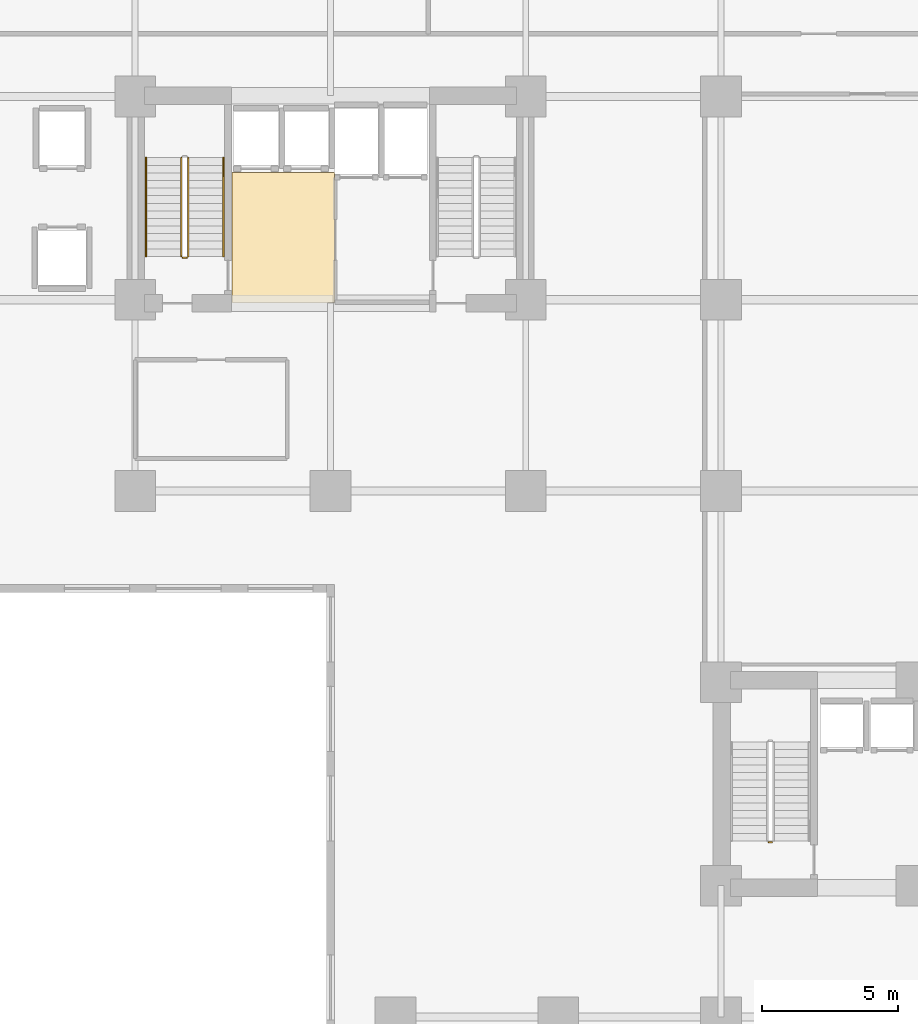
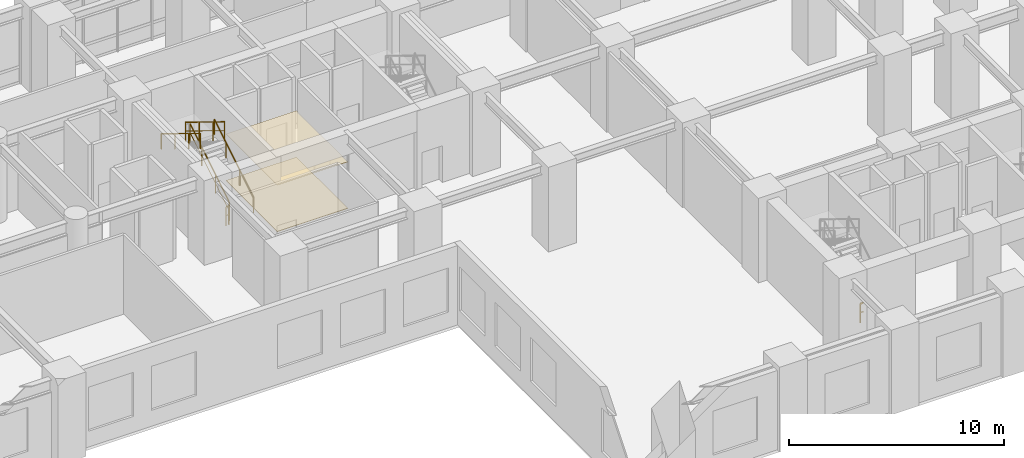
# One storey, part 20 of 22: 6 railings, 2 coverings.
"""IFC4 building model written with IfcOpenShell, lengths in metres."""

import ifcopenshell
import ifcopenshell.guid

model = None  # the IFC model being written
_history = None  # IfcOwnerHistory: only IFC2X3 demands one
_inside = {}  # id of a spatial element -> (the spatial element, [elements in it])
_under = {}  # id of a project, library or spatial element -> (it, [spatial elements below it])
_declared = {}  # id of a project -> (the project, [libraries it declares])
_typed = {}  # id of a type object -> (the type object, [elements of that type])
_made_of = {}  # id of a material, layer set ... -> (it, [elements and type objects made of it])


def new_model(schema):
    """Start an empty IFC model of exactly this schema.

    Asked for "IFC4X3", IfcOpenShell would pick the latest addendum, in which some entities
    have other attributes; the version numbers below select the first issue.
    IFC2X3 requires an IfcOwnerHistory on every rooted entity: one is made here for all.
    """
    global model, _history
    if schema == "IFC4X3":
        model = ifcopenshell.file(schema_version=(4, 3, 0, 0))
    else:
        model = ifcopenshell.file(schema=schema)
    _inside.clear()
    _under.clear()
    _declared.clear()
    _typed.clear()
    _made_of.clear()
    _history = None
    if model.schema == "IFC2X3":
        org = make("IfcOrganization", Name="unknown")
        user = make(
            "IfcPersonAndOrganization",
            ThePerson=make("IfcPerson", FamilyName="unknown"),
            TheOrganization=org,
        )
        app = make(
            "IfcApplication",
            ApplicationDeveloper=org,
            Version="unknown",
            ApplicationFullName="unknown",
            ApplicationIdentifier="unknown",
        )
        _history = make(
            "IfcOwnerHistory",
            OwningUser=user,
            OwningApplication=app,
            ChangeAction="ADDED",
            CreationDate=0,
        )
    return model


def make(cls, **values):
    """One entity of the class cls with the attributes given. An attribute that is None is left unset."""
    return model.create_entity(
        cls, **{name: value for name, value in values.items() if value is not None}
    )


def rooted(cls, **values):
    """An entity with a GlobalId (a new one), such as an element, a storey or a relation."""
    return make(cls, GlobalId=ifcopenshell.guid.new(), OwnerHistory=_history, **values)


def si_unit(unit_type, name, prefix=None):
    """IfcSIUnit, for example si_unit("LENGTHUNIT", "METRE", prefix="MILLI")."""
    return make("IfcSIUnit", UnitType=unit_type, Prefix=prefix, Name=name)


def assignment(units):
    """IfcUnitAssignment: the units of a project."""
    return None if units is None else make("IfcUnitAssignment", Units=units)


def point(xyz):
    """IfcCartesianPoint."""
    return None if xyz is None else make("IfcCartesianPoint", Coordinates=xyz)


def direction(xyz):
    """IfcDirection."""
    return None if xyz is None else make("IfcDirection", DirectionRatios=xyz)


def frame(location, z_axis=None, x_axis=None):
    """IfcAxis2Placement3D, a coordinate frame: its origin and axes. An axis left out is left unset."""
    return make(
        "IfcAxis2Placement3D",
        Location=point(location),
        Axis=direction(z_axis),
        RefDirection=direction(x_axis),
    )


def frame_2d(location, x_axis=None):
    """IfcAxis2Placement2D, a coordinate frame in the plane: its origin and x axis."""
    return make(
        "IfcAxis2Placement2D", Location=point(location), RefDirection=direction(x_axis)
    )


def origin():
    """The frame at (0, 0, 0) with its axes left unset."""
    return frame((0.0, 0.0, 0.0))


def origin_2d():
    """The frame at (0, 0) in the plane with its x axis left unset."""
    return frame_2d((0.0, 0.0))


def place(relative_to, where):
    """IfcLocalPlacement: puts the frame where relative to a parent placement (None: the world)."""
    return make(
        "IfcLocalPlacement", PlacementRelTo=relative_to, RelativePlacement=where
    )


def context(
    kind, dimensions, precision=None, world=None, true_north=None, identifier=None
):
    """IfcGeometricRepresentationContext, for example the 3D "Model" context."""
    return make(
        "IfcGeometricRepresentationContext",
        ContextIdentifier=identifier,
        ContextType=kind,
        CoordinateSpaceDimension=dimensions,
        Precision=precision,
        WorldCoordinateSystem=world,
        TrueNorth=true_north,
    )


def subcontext(parent, identifier, kind, view, scale=None):
    """IfcGeometricRepresentationSubContext, for example "Body" below "Model"."""
    return make(
        "IfcGeometricRepresentationSubContext",
        ContextIdentifier=identifier,
        ContextType=kind,
        ParentContext=parent,
        TargetScale=scale,
        TargetView=view,
    )


def project(units=None, contexts=None):
    """IfcProject with its units and contexts."""
    return rooted(
        "IfcProject",
        Name="project",
        RepresentationContexts=contexts,
        UnitsInContext=assignment(units),
    )


def spatial(cls, under=None, at=None, **own):
    """A site, building, storey or space (cls), placed at a placement, below another one or the project."""
    s = rooted(cls, ObjectPlacement=at, **own)
    if under is not None:
        _under.setdefault(under.id(), (under, []))[1].append(s)
    return s


def profile(cls, at=None, kind="AREA", **sizes):
    """A parametric profile (cls). Its sizes go by their IFC names, for example OverallWidth=200.0."""
    return make(cls, ProfileType=kind, Position=at, **sizes)


def rectangle(**sizes):
    """IfcRectangleProfileDef."""
    return profile("IfcRectangleProfileDef", **sizes)


def extrude(swept, where, along, depth):
    """IfcExtrudedAreaSolid: the profile swept, set in the frame where, extruded along a direction by depth."""
    return make(
        "IfcExtrudedAreaSolid",
        SweptArea=swept,
        Position=where,
        ExtrudedDirection=direction(along),
        Depth=depth,
    )


def shape(context_of_items, identifier, shape_type, items):
    """IfcShapeRepresentation: the items that make up one representation, for example the "Body"."""
    return make(
        "IfcShapeRepresentation",
        ContextOfItems=context_of_items,
        RepresentationIdentifier=identifier,
        RepresentationType=shape_type,
        Items=items,
    )


def source(mapping_origin, context_of_items, identifier, shape_type, items):
    """IfcRepresentationMap: a shape defined once, which mapped items show again and again."""
    return make(
        "IfcRepresentationMap",
        MappingOrigin=mapping_origin,
        MappedRepresentation=shape(context_of_items, identifier, shape_type, items),
    )


def transform(
    local_origin,
    x_axis=None,
    y_axis=None,
    z_axis=None,
    scale=None,
    scale2=None,
    scale3=None,
    uniform=True,
):
    """IfcCartesianTransformationOperator3D, or its non-uniform kind. x_axis, y_axis, z_axis: its Axis1, 2, 3."""
    if uniform:
        return make(
            "IfcCartesianTransformationOperator3D",
            Axis1=direction(x_axis),
            Axis2=direction(y_axis),
            LocalOrigin=point(local_origin),
            Scale=scale,
            Axis3=direction(z_axis),
        )
    return make(
        "IfcCartesianTransformationOperator3DnonUniform",
        Axis1=direction(x_axis),
        Axis2=direction(y_axis),
        LocalOrigin=point(local_origin),
        Scale=scale,
        Axis3=direction(z_axis),
        Scale2=scale2,
        Scale3=scale3,
    )


def mapped(mapping_source, mapping_target):
    """IfcMappedItem: shows the shape of a source again, moved by a transform."""
    return make(
        "IfcMappedItem", MappingSource=mapping_source, MappingTarget=mapping_target
    )


def material(Name=None, Category=None):
    """IfcMaterial."""
    return make("IfcMaterial", Name=Name, Category=Category)


def layer(
    of_material, thickness, ventilated=None, Name=None, Category=None, Priority=None
):
    """IfcMaterialLayer: one layer of a wall or slab, of a material (None: an air gap)."""
    return make(
        "IfcMaterialLayer",
        Material=of_material,
        LayerThickness=thickness,
        IsVentilated=ventilated,
        Name=Name,
        Category=Category,
        Priority=Priority,
    )


def layer_set(layers, Name=None):
    """IfcMaterialLayerSet."""
    return make("IfcMaterialLayerSet", MaterialLayers=layers, LayerSetName=Name)


def made_of(thing, what):
    """Note that an element or type object is made of a material, layer set ...; save() writes the relation."""
    if what is not None:
        _made_of.setdefault(what.id(), (what, []))[1].append(thing)
    return thing


def type_object(cls, material=None, **own):
    """A type object (cls), such as IfcWallType, which elements share."""
    return made_of(rooted(cls, **own), material)


def element(
    cls,
    number,
    at=None,
    inside=None,
    cuts=None,
    type_object=None,
    material=None,
    context=None,
    identifier="Body",
    shape_type=None,
    held_by="IfcProductDefinitionShape",
    body=None,
    shapes=None,
    **own,
):
    """One element of the class cls, such as IfcWall. Its Tag is "e" and its number.

    at: its placement. inside: the storey or other place that contains it. cuts: it is an
    opening in that element (IfcRelVoidsElement). A single representation is given by context,
    identifier, shape_type and body (its items); several are given by shapes. held_by: the class
    of the entity that holds the representations. save() writes the other relations.
    """
    e = rooted(cls, Tag="e%d" % number, ObjectPlacement=at, **own)
    if body is not None:
        shapes = [shape(context, identifier, shape_type, body)]
    if shapes is not None:
        e.Representation = make(held_by, Representations=shapes)
    if inside is not None:
        _inside.setdefault(inside.id(), (inside, []))[1].append(e)
    if cuts is not None:
        rooted(
            "IfcRelVoidsElement", RelatingBuildingElement=cuts, RelatedOpeningElement=e
        )
    if type_object is not None:
        _typed.setdefault(type_object.id(), (type_object, []))[1].append(e)
    return made_of(e, material)


def aggregate(whole, parts):
    """IfcRelAggregates: a whole, such as a stair, and the parts it consists of."""
    return rooted("IfcRelAggregates", RelatingObject=whole, RelatedObjects=parts)


def save(model, path):
    """Write the relations noted so far, then the file.

    IfcRelAggregates (storeys below a building ...), IfcRelContainedInSpatialStructure (elements
    in a storey), IfcRelDefinesByType, IfcRelAssociatesMaterial and IfcRelDeclares: one each for
    every whole, place, type object, material and project.
    """
    for whole, parts in _under.values():
        aggregate(whole, parts)
    for where, things in _inside.values():
        rooted(
            "IfcRelContainedInSpatialStructure",
            RelatedElements=things,
            RelatingStructure=where,
        )
    for kind, things in _typed.values():
        rooted("IfcRelDefinesByType", RelatedObjects=things, RelatingType=kind)
    for what, things in _made_of.values():
        rooted("IfcRelAssociatesMaterial", RelatedObjects=things, RelatingMaterial=what)
    for by, libraries in _declared.values():
        rooted("IfcRelDeclares", RelatingContext=by, RelatedDefinitions=libraries)
    model.write(path)


model = new_model("IFC4")

# Units and contexts
model_context = context("Model", 3, precision=1e-05, world=origin(), true_north=direction((0.0, 1.0)))
body_context = subcontext(model_context, "Body", "Model", "MODEL_VIEW")
ifc_project = project(units=[si_unit("LENGTHUNIT", "METRE"), si_unit("AREAUNIT", "SQUARE_METRE"), si_unit("VOLUMEUNIT", "CUBIC_METRE"), si_unit("PLANEANGLEUNIT", "RADIAN"), si_unit("MASSUNIT", "GRAM", prefix="KILO")], contexts=[model_context])

# Site, building, storey
site_placement = place(None, origin())
site = spatial("IfcSite", under=ifc_project, at=site_placement, CompositionType="ELEMENT")
building_placement = place(site_placement, origin())
building = spatial("IfcBuilding", under=site, at=building_placement, Name="Kaliganga Portal Commons", CompositionType="ELEMENT")
storey_placement = place(building_placement, frame((0.0, 0.0, 5.39990234375)))
storey = spatial("IfcBuildingStorey", under=building, at=storey_placement, Name="L01", CompositionType="ELEMENT", Elevation=5.39990234375)

# Railings
ifc_material_1 = material(Name="Galvanized Painted Steel Balustrade", Category="steel")
railing_type_1 = type_object("IfcRailingType", Name="RLG-STAIR-GRD", PredefinedType="GUARDRAIL", material=ifc_material_1)
railing_1_placement = place(storey_placement, frame((16.35009765625, 30.25, 0.171630859375)))
element("IfcRailing", 1, at=railing_1_placement, inside=storey, type_object=railing_type_1, Name="L01 ST-A1 stair guard 1", PredefinedType="GUARDRAIL", context=body_context, shape_type="SweptSolid", body=[
    extrude(rectangle(XDim=0.048095703125, YDim=0.048095703125, at=origin_2d()), frame((0.0, 0.0, 1.072021484375), z_axis=(0.0, 0.852850264322, 0.5221555579), x_axis=(-1.0, 0.0, 0.0)), (0.0, 0.0, 1.0), 4.267822265625),
    extrude(rectangle(XDim=0.028076171875, YDim=0.028076171875, at=origin_2d()), frame((0.0, 0.0, 0.572021484375), z_axis=(0.0, 0.852850264322, 0.5221555579), x_axis=(-1.0, 0.0, 0.0)), (0.0, 0.0, 1.0), 4.267822265625),
    extrude(rectangle(XDim=0.0419921875, YDim=0.0419921875, at=origin_2d()), origin(), (0.0, 0.0, 1.0), 1.052001953125),
    extrude(rectangle(XDim=0.0419921875, YDim=0.0419921875, at=origin_2d()), frame((0.0, 1.279296875, 0.783203125)), (0.0, 0.0, 1.0), 1.052001953125),
    extrude(rectangle(XDim=0.0419921875, YDim=0.0419921875, at=origin_2d()), frame((0.0, 2.55859375, 1.56640625)), (0.0, 0.0, 1.0), 1.052001953125),
    extrude(rectangle(XDim=0.0419921875, YDim=0.0419921875, at=origin_2d()), frame((0.0, 3.639892578125, 2.228515625)), (0.0, 0.0, 1.0), 1.052001953125),
])
railing_2_placement = place(storey_placement, frame((16.10009765625, 33.889892578125, 2.571533203125)))
element("IfcRailing", 2, at=railing_2_placement, inside=storey, type_object=railing_type_1, Name="L01 ST-A1 stair guard 3", PredefinedType="GUARDRAIL", context=body_context, shape_type="SweptSolid", body=[
    extrude(rectangle(XDim=0.048095703125, YDim=0.048095703125, at=origin_2d()), frame((0.0, 0.0, 1.072021484375), z_axis=(0.0, -0.852850264322, 0.5221555579), x_axis=(1.0, 0.0, 0.0)), (0.0, 0.0, 1.0), 4.267822265625),
    extrude(rectangle(XDim=0.028076171875, YDim=0.028076171875, at=origin_2d()), frame((0.0, 0.0, 0.572021484375), z_axis=(0.0, -0.852850264322, 0.5221555579), x_axis=(1.0, 0.0, 0.0)), (0.0, 0.0, 1.0), 4.267822265625),
    extrude(rectangle(XDim=0.0419921875, YDim=0.0419921875, at=origin_2d()), origin(), (0.0, 0.0, 1.0), 1.052001953125),
    extrude(rectangle(XDim=0.0419921875, YDim=0.0419921875, at=origin_2d()), frame((0.0, -1.279296875, 0.783203125)), (0.0, 0.0, 1.0), 1.052001953125),
    extrude(rectangle(XDim=0.0419921875, YDim=0.0419921875, at=origin_2d()), frame((0.0, -2.55859375, 1.56640625)), (0.0, 0.0, 1.0), 1.052001953125),
    extrude(rectangle(XDim=0.0419921875, YDim=0.0419921875, at=origin_2d()), frame((0.0, -3.639892578125, 2.228515625)), (0.0, 0.0, 1.0), 1.052001953125),
])
railing_3_placement = place(storey_placement, frame((16.300048828125, 30.199951171875, 0.0)))
element("IfcRailing", 3, at=railing_3_placement, inside=storey, type_object=railing_type_1, Name="L01 ST-A1 stair guard 4", PredefinedType="GUARDRAIL", context=body_context, shape_type="SweptSolid", body=[
    extrude(rectangle(XDim=0.048095703125, YDim=0.048095703125, at=origin_2d()), frame((0.0, 0.0, 1.076171875), z_axis=(-1.0, 0.0, 0.0), x_axis=(0.0, -1.0, 0.0)), (0.0, 0.0, 1.0), 0.150146484375),
    extrude(rectangle(XDim=0.028076171875, YDim=0.028076171875, at=origin_2d()), frame((0.0, 0.0, 0.572021484375), z_axis=(-1.0, 0.0, 0.0), x_axis=(0.0, -1.0, 0.0)), (0.0, 0.0, 1.0), 0.150146484375),
    extrude(rectangle(XDim=0.0419921875, YDim=0.0419921875, at=origin_2d()), origin(), (0.0, 0.0, 1.0), 1.052001953125),
    extrude(rectangle(XDim=0.0419921875, YDim=0.0419921875, at=origin_2d()), frame((-0.150146484375, 0.0, 0.0)), (0.0, 0.0, 1.0), 1.052001953125),
])
railing_4_placement = place(storey_placement, frame((37.89990234375, 8.64990234375, 0.0)))
element("IfcRailing", 4, at=railing_4_placement, inside=storey, type_object=railing_type_1, Name="L01 ST-B1 stair guard 4", PredefinedType="GUARDRAIL", context=body_context, shape_type="SweptSolid", body=[
    extrude(rectangle(XDim=0.048095703125, YDim=0.048095703125, at=origin_2d()), frame((0.0, 0.0, 1.076171875), z_axis=(-1.0, 0.0, 0.0), x_axis=(0.0, -1.0, 0.0)), (0.0, 0.0, 1.0), 0.14990234375),
    extrude(rectangle(XDim=0.028076171875, YDim=0.028076171875, at=origin_2d()), frame((0.0, 0.0, 0.572021484375), z_axis=(-1.0, 0.0, 0.0), x_axis=(0.0, -1.0, 0.0)), (0.0, 0.0, 1.0), 0.14990234375),
    extrude(rectangle(XDim=0.0419921875, YDim=0.0419921875, at=origin_2d()), frame((-0.14990234375, 0.0, 0.0)), (0.0, 0.0, 1.0), 1.052001953125),
])
ifc_material_2 = material(Name="Brushed Stainless Steel 316", Category="steel")
railing_type_2 = type_object("IfcRailingType", Name="RLG-STAIR-HR", PredefinedType="HANDRAIL", material=ifc_material_2)
railing_5_placement = place(storey_placement, frame((17.64990234375, 30.25, 0.171630859375)))
element("IfcRailing", 5, at=railing_5_placement, inside=storey, type_object=railing_type_2, Name="L01 ST-A1 stair handrail 1", PredefinedType="HANDRAIL", context=body_context, shape_type="SweptSolid", body=[
    extrude(rectangle(XDim=0.048095703125, YDim=0.048095703125, at=origin_2d()), frame((0.0, 0.0, 0.871826171875), z_axis=(0.0, 0.852850264322, 0.5221555579), x_axis=(-1.0, 0.0, 0.0)), (0.0, 0.0, 1.0), 4.267822265625),
    extrude(rectangle(XDim=0.0419921875, YDim=0.0419921875, at=origin_2d()), origin(), (0.0, 0.0, 1.0), 0.851806640625),
    extrude(rectangle(XDim=0.0419921875, YDim=0.0419921875, at=origin_2d()), frame((0.0, 1.279296875, 0.783203125)), (0.0, 0.0, 1.0), 0.851806640625),
    extrude(rectangle(XDim=0.0419921875, YDim=0.0419921875, at=origin_2d()), frame((0.0, 2.55859375, 1.56640625)), (0.0, 0.0, 1.0), 0.851806640625),
    extrude(rectangle(XDim=0.0419921875, YDim=0.0419921875, at=origin_2d()), frame((0.0, 3.639892578125, 2.228515625)), (0.0, 0.0, 1.0), 0.851806640625),
])
railing_6_placement = place(storey_placement, frame((14.800048828125, 33.889892578125, 2.571533203125)))
element("IfcRailing", 6, at=railing_6_placement, inside=storey, type_object=railing_type_2, Name="L01 ST-A1 stair handrail 2", PredefinedType="HANDRAIL", context=body_context, shape_type="SweptSolid", body=[
    extrude(rectangle(XDim=0.048095703125, YDim=0.048095703125, at=origin_2d()), frame((0.0, 0.0, 0.871826171875), z_axis=(0.0, -0.852850264322, 0.5221555579), x_axis=(1.0, 0.0, 0.0)), (0.0, 0.0, 1.0), 4.267822265625),
    extrude(rectangle(XDim=0.0419921875, YDim=0.0419921875, at=origin_2d()), origin(), (0.0, 0.0, 1.0), 0.851806640625),
    extrude(rectangle(XDim=0.0419921875, YDim=0.0419921875, at=origin_2d()), frame((0.0, -1.279296875, 0.783203125)), (0.0, 0.0, 1.0), 0.851806640625),
    extrude(rectangle(XDim=0.0419921875, YDim=0.0419921875, at=origin_2d()), frame((0.0, -2.55859375, 1.56640625)), (0.0, 0.0, 1.0), 0.851806640625),
    extrude(rectangle(XDim=0.0419921875, YDim=0.0419921875, at=origin_2d()), frame((0.0, -3.639892578125, 2.228515625)), (0.0, 0.0, 1.0), 0.851806640625),
])

# Coverings
ifc_material_3 = material(Name="Acoustic Micro-Perforated Gypsum Ceiling", Category="gypsum")
ifc_layer_1 = layer(ifc_material_3, 0.02001953125)
ifc_layer_set_1 = layer_set([ifc_layer_1], Name="Acoustic Micro-Perforated Gypsum Ceiling")
covering_type_1 = type_object("IfcCoveringType", Name="COV-CEIL-GYP", PredefinedType="CEILING", material=ifc_layer_set_1)
shared_shape_1 = source(origin(), body_context, "Body", "SweptSolid", [
    extrude(rectangle(XDim=3.780029296875, YDim=4.780029296875, at=origin_2d()), origin(), (0.0, 0.0, 1.0), 0.02001953125),
])
covering_1_placement = place(storey_placement, frame((19.85009765625, 30.949951171875, 2.64013671875), z_axis=(0.0, 0.0, 1.0), x_axis=(1.0, 0.0, 0.0)))
element("IfcCovering", 7, at=covering_1_placement, inside=storey, type_object=covering_type_1, Name="Acoustic Ceiling L01 PLOB_A", PredefinedType="CEILING", context=body_context, shape_type="MappedRepresentation", body=[
    mapped(shared_shape_1, transform((0.0, 0.0, 0.0), x_axis=(1.0, 0.0, 0.0), y_axis=(0.0, 1.0, 0.0), z_axis=(0.0, 0.0, 1.0), scale=1.0)),
])
ifc_material_4 = material(Name="Polished Sylhet Stone Terrazzo Flooring", Category="masonry")
ifc_layer_2 = layer(ifc_material_4, 0.02490234375)
ifc_layer_set_2 = layer_set([ifc_layer_2], Name="Polished Sylhet Stone Terrazzo Flooring")
covering_type_2 = type_object("IfcCoveringType", Name="COV-FLR-TERRAZZO", PredefinedType="FLOORING", material=ifc_layer_set_2)
shared_shape_2 = source(origin(), body_context, "Body", "SweptSolid", [
    extrude(rectangle(XDim=3.780029296875, YDim=4.780029296875, at=origin_2d()), origin(), (0.0, 0.0, 1.0), 0.02490234375),
])
covering_2_placement = place(storey_placement, frame((19.85009765625, 30.949951171875, 0.000732421875), z_axis=(0.0, 0.0, 1.0), x_axis=(1.0, 0.0, 0.0)))
element("IfcCovering", 8, at=covering_2_placement, inside=storey, type_object=covering_type_2, Name="Terrazzo Flooring L01 PLOB_A", PredefinedType="FLOORING", context=body_context, shape_type="MappedRepresentation", body=[
    mapped(shared_shape_2, transform((0.0, 0.0, 0.0), x_axis=(1.0, 0.0, 0.0), y_axis=(0.0, 1.0, 0.0), z_axis=(0.0, 0.0, 1.0), scale=1.0)),
])

save(model, "model.ifc")
